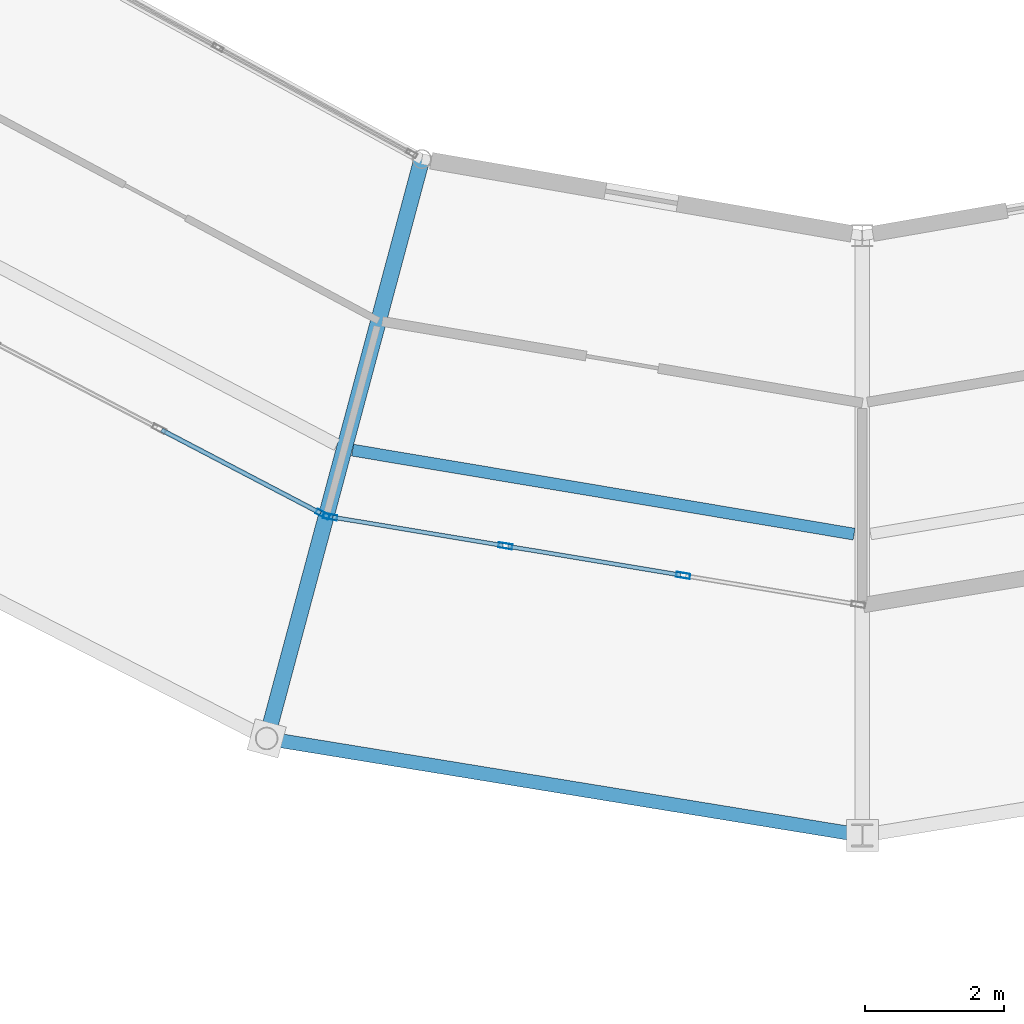
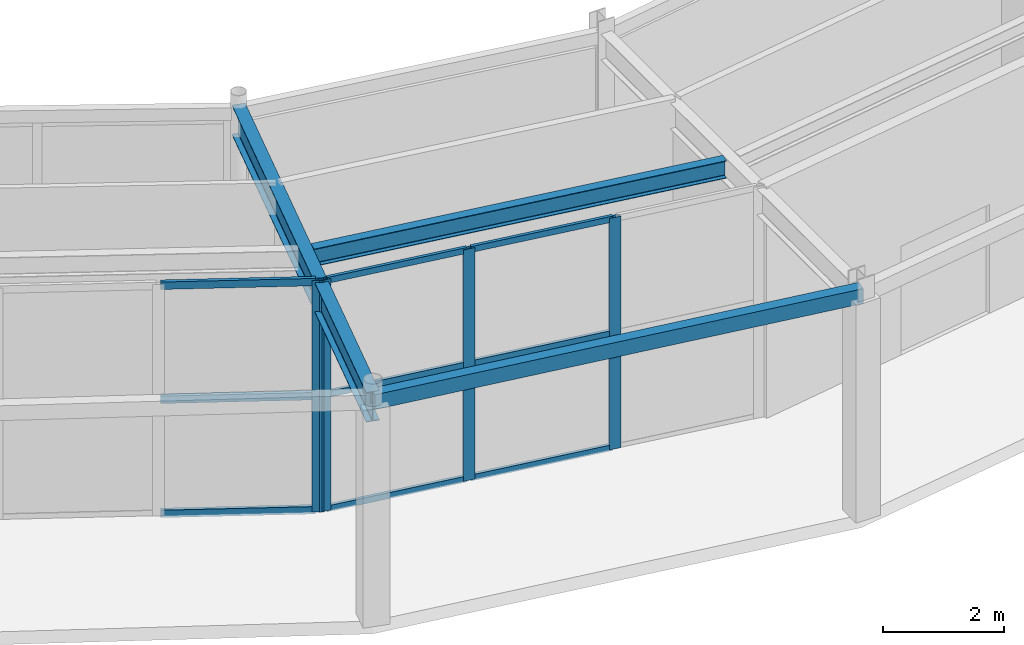
# One storey, part 25 of 144: 13 members, 3 beams, 2 elements without a shape of their own.
"""IFC4 building model written with IfcOpenShell, lengths in metres."""

from ifc_helpers import new_model, si_unit, direction, frame, origin, origin_2d, place, context, subcontext, project, spatial, hollow_rectangle, i_section, extrude, material, material_profile, profile_set, type_object, element, aggregate, save


model = new_model("IFC4")

# Units and contexts
model_context = context("Model", 3, precision=1e-05, world=origin(), true_north=direction((0.0, 1.0)))
body_context = subcontext(model_context, "Body", "Model", "MODEL_VIEW")
ifc_project = project(units=[si_unit("LENGTHUNIT", "METRE"), si_unit("AREAUNIT", "SQUARE_METRE"), si_unit("VOLUMEUNIT", "CUBIC_METRE"), si_unit("PLANEANGLEUNIT", "RADIAN"), si_unit("MASSUNIT", "GRAM", prefix="KILO")], contexts=[model_context])

# Site, building, storey
site_placement = place(None, origin())
site = spatial("IfcSite", under=ifc_project, at=site_placement, CompositionType="ELEMENT")
building_placement = place(site_placement, origin())
building = spatial("IfcBuilding", under=site, at=building_placement, Name="Karori Crest Natural Sciences Institute", CompositionType="ELEMENT")
storey_placement = place(building_placement, origin())
storey = spatial("IfcBuildingStorey", under=building, at=storey_placement, Name="L00", CompositionType="ELEMENT", Elevation=0.0)

# Beams
ifc_material_1 = material(Name="Hollow structural steel AS/NZS 1163 Grade C350", Category="steel")
ifc_material_profile_1 = material_profile(ifc_material_1, hollow_rectangle(XDim=0.199951171875, YDim=0.300048828125, WallThickness=0.010009765625, at=origin_2d()), Name="RHS300x200x10")
ifc_profile_set_1 = profile_set([ifc_material_profile_1], Name="Hollow structural steel AS/NZS 1163 Grade C350")
beam_type_1 = type_object("IfcBeamType", Name="BT-15", PredefinedType="SPANDREL", material=ifc_profile_set_1)
beam_1_placement = place(storey_placement, frame((57.85888671875, 10.490234375, 4.489990234375), z_axis=(0.987012055933, -0.160646199591, 0.0), x_axis=(0.160646199591, 0.987012055933, 0.0)))
element("IfcBeam", 1, at=beam_1_placement, inside=storey, type_object=beam_type_1, Name="Beam B-0154", PredefinedType="SPANDREL", context=body_context, shape_type="SweptSolid", body=[
    extrude(hollow_rectangle(XDim=0.199951171875, YDim=0.300048828125, WallThickness=0.010009765625, at=origin_2d()), origin(), (0.0, 0.0, 1.0), 8.6533203125),
])
ifc_material_2 = material(Name="Structural steel AS/NZS 3679.1 Grade 350", Category="steel")
ifc_material_profile_2 = material_profile(ifc_material_2, i_section(OverallWidth=0.22802734375, OverallDepth=0.60205078125, WebThickness=0.010498046875, FlangeThickness=0.014892578125, FilletRadius=0.013916015625, at=origin_2d()), Name="610UB101")
ifc_profile_set_2 = profile_set([ifc_material_profile_2], Name="Structural steel AS/NZS 3679.1 Grade 350")
beam_type_2 = type_object("IfcBeamType", Name="BT-27", PredefinedType="BEAM", material=ifc_profile_set_2)
beam_2_placement = place(storey_placement, frame((60.084716796875, 18.797119140625, 4.339111328125), z_axis=(-0.258819806009, -0.965925622404, 0.0), x_axis=(0.965925622404, -0.258819806009, 0.0)))
element("IfcBeam", 2, at=beam_2_placement, inside=storey, type_object=beam_type_2, Name="Beam B-0156", PredefinedType="BEAM", context=body_context, shape_type="SweptSolid", body=[
    extrude(i_section(OverallWidth=0.22802734375, OverallDepth=0.60205078125, WebThickness=0.010498046875, FlangeThickness=0.014892578125, FilletRadius=0.013916015625, at=origin_2d()), origin(), (0.0, 0.0, 1.0), 8.599853515625),
])
ifc_material_profile_3 = material_profile(ifc_material_2, i_section(OverallWidth=0.1708984375, OverallDepth=0.35595703125, WebThickness=0.00732421875, FlangeThickness=0.011474609375, FilletRadius=0.010986328125, at=origin_2d()), Name="360UB50.7")
ifc_profile_set_3 = profile_set([ifc_material_profile_3], Name="Structural steel AS/NZS 3679.1 Grade 350")
beam_type_3 = type_object("IfcBeamType", Name="BT-30", PredefinedType="BEAM", material=ifc_profile_set_3)
beam_3_placement = place(storey_placement, frame((59.09033203125, 14.623779296875, 4.4619140625), z_axis=(0.986275115433, -0.165110256126, 0.0), x_axis=(0.165110256126, 0.986275115433, 0.0)))
element("IfcBeam", 3, at=beam_3_placement, inside=storey, type_object=beam_type_3, Name="Beam B-0157", PredefinedType="BEAM", context=body_context, shape_type="SweptSolid", body=[
    extrude(i_section(OverallWidth=0.1708984375, OverallDepth=0.35595703125, WebThickness=0.00732421875, FlangeThickness=0.011474609375, FilletRadius=0.010986328125, at=origin_2d()), origin(), (0.0, 0.0, 1.0), 7.291259765625),
])

# Curtain wall, member
ifc_material_3 = material(Name="Anodised architectural aluminium 6063-T6", Category="aluminium")
curtain_wall_type_1 = type_object("IfcCurtainWallType", Name="CWT-07", PredefinedType="NOTDEFINED", material=ifc_material_3)
curtain_wall_1_placement = place(storey_placement, origin())
curtain_wall_1 = element("IfcCurtainWall", 4, at=curtain_wall_1_placement, inside=storey, type_object=curtain_wall_type_1, Name="Curtain wall CW-0021", PredefinedType="NOTDEFINED")
ifc_material_profile_4 = material_profile(ifc_material_3, hollow_rectangle(XDim=0.074951171875, YDim=0.199951171875, WallThickness=0.0048828125, at=origin_2d()), Name="CWM200x75x5")
ifc_profile_set_4 = profile_set([ifc_material_profile_4], Name="Anodised architectural aluminium 6063-T6")
member_type_1 = type_object("IfcMemberType", Name="CWM-02", PredefinedType="MULLION", material=ifc_profile_set_4)
member_1_placement = place(storey_placement, frame((58.662109375, 13.70458984375, 0.0), z_axis=(0.0, 0.0, 1.0), x_axis=(-0.46342574094, -0.88613575858, 0.0)))
member_1 = element("IfcMember", 5, at=member_1_placement, type_object=member_type_1, Name="CW-0021 mullion 1", PredefinedType="MULLION", context=body_context, shape_type="SweptSolid", body=[
    extrude(hollow_rectangle(XDim=0.074951171875, YDim=0.199951171875, WallThickness=0.0048828125, at=origin_2d()), origin(), (0.0, 0.0, 1.0), 4.679931640625),
])

# Curtain wall, members
curtain_wall_type_2 = type_object("IfcCurtainWallType", Name="CWT-08", PredefinedType="NOTDEFINED", material=ifc_material_3)
curtain_wall_2_placement = place(storey_placement, origin())
curtain_wall_2 = element("IfcCurtainWall", 6, at=curtain_wall_2_placement, inside=storey, type_object=curtain_wall_type_2, Name="Curtain wall CW-0023", PredefinedType="NOTDEFINED")
member_2_placement = place(storey_placement, frame((63.8310546875, 12.8271484375, 0.0), z_axis=(0.0, 0.0, 1.0), x_axis=(-0.1639743451, -0.986464603597, 0.0)))
member_2 = element("IfcMember", 7, at=member_2_placement, type_object=member_type_1, Name="CW-0023 mullion 2", PredefinedType="MULLION", context=body_context, shape_type="SweptSolid", body=[
    extrude(hollow_rectangle(XDim=0.074951171875, YDim=0.199951171875, WallThickness=0.0048828125, at=origin_2d()), origin(), (0.0, 0.0, 1.0), 4.679931640625),
])
member_3_placement = place(storey_placement, frame((61.281982421875, 13.250732421875, 0.0), z_axis=(0.0, 0.0, 1.0), x_axis=(-0.1639743451, -0.986464603597, 0.0)))
member_3 = element("IfcMember", 8, at=member_3_placement, type_object=member_type_1, Name="CW-0023 mullion 3", PredefinedType="MULLION", context=body_context, shape_type="SweptSolid", body=[
    extrude(hollow_rectangle(XDim=0.074951171875, YDim=0.199951171875, WallThickness=0.0048828125, at=origin_2d()), origin(), (0.0, 0.0, 1.0), 4.679931640625),
])
member_4_placement = place(storey_placement, frame((58.769775390625, 13.66845703125, 0.0), z_axis=(0.0, 0.0, 1.0), x_axis=(-0.1639743451, -0.986464603597, 0.0)))
member_4 = element("IfcMember", 9, at=member_4_placement, type_object=member_type_1, Name="CW-0023 mullion 4", PredefinedType="MULLION", context=body_context, shape_type="SweptSolid", body=[
    extrude(hollow_rectangle(XDim=0.074951171875, YDim=0.199951171875, WallThickness=0.0048828125, at=origin_2d()), origin(), (0.0, 0.0, 1.0), 4.679931640625),
])
ifc_material_profile_5 = material_profile(ifc_material_3, hollow_rectangle(XDim=0.06005859375, YDim=0.1201171875, WallThickness=0.00390625, at=origin_2d()), Name="CWT120x60x4")
ifc_profile_set_5 = profile_set([ifc_material_profile_5], Name="Anodised architectural aluminium 6063-T6")
member_type_2 = type_object("IfcMemberType", Name="CWT-TR1", PredefinedType="USERDEFINED", material=ifc_profile_set_5)
member_5_placement = place(storey_placement, frame((63.794189453125, 12.833251953125, 0.030029296875), z_axis=(-0.986470075653, 0.163941421982, 0.0), x_axis=(-0.163941421982, -0.986470075653, 0.0)))
member_5 = element("IfcMember", 10, at=member_5_placement, type_object=member_type_2, Name="CW-0023 transom 2.1", ObjectType="TRANSOM", PredefinedType="USERDEFINED", context=body_context, shape_type="SweptSolid", body=[
    extrude(hollow_rectangle(XDim=0.06005859375, YDim=0.1201171875, WallThickness=0.00390625, at=origin_2d()), origin(), (0.0, 0.0, 1.0), 2.50927734375),
])
member_6_placement = place(storey_placement, frame((63.794189453125, 12.833251953125, 2.340087890625), z_axis=(-0.986470075653, 0.163941421982, 0.0), x_axis=(-0.163941421982, -0.986470075653, 0.0)))
member_6 = element("IfcMember", 11, at=member_6_placement, type_object=member_type_2, Name="CW-0023 transom 2.2", ObjectType="TRANSOM", PredefinedType="USERDEFINED", context=body_context, shape_type="SweptSolid", body=[
    extrude(hollow_rectangle(XDim=0.06005859375, YDim=0.1201171875, WallThickness=0.00390625, at=origin_2d()), origin(), (0.0, 0.0, 1.0), 2.50927734375),
])
member_7_placement = place(storey_placement, frame((63.794189453125, 12.833251953125, 4.64990234375), z_axis=(-0.986470075653, 0.163941421982, 0.0), x_axis=(-0.163941421982, -0.986470075653, 0.0)))
member_7 = element("IfcMember", 12, at=member_7_placement, type_object=member_type_2, Name="CW-0023 transom 2.3", ObjectType="TRANSOM", PredefinedType="USERDEFINED", context=body_context, shape_type="SweptSolid", body=[
    extrude(hollow_rectangle(XDim=0.06005859375, YDim=0.1201171875, WallThickness=0.00390625, at=origin_2d()), origin(), (0.0, 0.0, 1.0), 2.50927734375),
])
member_8_placement = place(storey_placement, frame((61.244873046875, 13.2568359375, 0.030029296875), z_axis=(-0.986463252123, 0.163982475318, 0.0), x_axis=(-0.163982475318, -0.986463252123, 0.0)))
member_8 = element("IfcMember", 13, at=member_8_placement, type_object=member_type_2, Name="CW-0023 transom 3.1", ObjectType="TRANSOM", PredefinedType="USERDEFINED", context=body_context, shape_type="SweptSolid", body=[
    extrude(hollow_rectangle(XDim=0.06005859375, YDim=0.1201171875, WallThickness=0.00390625, at=origin_2d()), origin(), (0.0, 0.0, 1.0), 2.471435546875),
])
member_9_placement = place(storey_placement, frame((61.244873046875, 13.2568359375, 2.340087890625), z_axis=(-0.986463252123, 0.163982475318, 0.0), x_axis=(-0.163982475318, -0.986463252123, 0.0)))
member_9 = element("IfcMember", 14, at=member_9_placement, type_object=member_type_2, Name="CW-0023 transom 3.2", ObjectType="TRANSOM", PredefinedType="USERDEFINED", context=body_context, shape_type="SweptSolid", body=[
    extrude(hollow_rectangle(XDim=0.06005859375, YDim=0.1201171875, WallThickness=0.00390625, at=origin_2d()), origin(), (0.0, 0.0, 1.0), 2.471435546875),
])
member_10_placement = place(storey_placement, frame((61.244873046875, 13.2568359375, 4.64990234375), z_axis=(-0.986463252123, 0.163982475318, 0.0), x_axis=(-0.163982475318, -0.986463252123, 0.0)))
member_10 = element("IfcMember", 15, at=member_10_placement, type_object=member_type_2, Name="CW-0023 transom 3.3", ObjectType="TRANSOM", PredefinedType="USERDEFINED", context=body_context, shape_type="SweptSolid", body=[
    extrude(hollow_rectangle(XDim=0.06005859375, YDim=0.1201171875, WallThickness=0.00390625, at=origin_2d()), origin(), (0.0, 0.0, 1.0), 2.471435546875),
])
aggregate(curtain_wall_2, [member_2, member_3, member_4, member_5, member_6, member_7, member_8, member_9, member_10])

# Member
ifc_material_profile_6 = material_profile(ifc_material_3, hollow_rectangle(XDim=0.06494140625, YDim=0.14990234375, WallThickness=0.00390625, at=origin_2d()), Name="CWT150x65x4")
ifc_profile_set_6 = profile_set([ifc_material_profile_6], Name="Anodised architectural aluminium 6063-T6")
member_type_3 = type_object("IfcMemberType", Name="CWT-TR2", PredefinedType="USERDEFINED", material=ifc_profile_set_6)
member_11_placement = place(storey_placement, frame((58.62890625, 13.721923828125, 0.032470703125), z_axis=(-0.886123434904, 0.463449304794, 0.0), x_axis=(-0.463449304794, -0.886123434904, 0.0)))
member_11 = element("IfcMember", 16, at=member_11_placement, type_object=member_type_3, Name="CW-0021 transom 1.1", ObjectType="TRANSOM", PredefinedType="USERDEFINED", context=body_context, shape_type="SweptSolid", body=[
    extrude(hollow_rectangle(XDim=0.06494140625, YDim=0.14990234375, WallThickness=0.00390625, at=origin_2d()), origin(), (0.0, 0.0, 1.0), 2.568603515625),
])

member_12_placement = place(storey_placement, frame((58.62890625, 13.721923828125, 2.340087890625), z_axis=(-0.886123434904, 0.463449304794, 0.0), x_axis=(-0.463449304794, -0.886123434904, 0.0)))
member_12 = element("IfcMember", 17, at=member_12_placement, type_object=member_type_3, Name="CW-0021 transom 1.2", ObjectType="TRANSOM", PredefinedType="USERDEFINED", context=body_context, shape_type="SweptSolid", body=[
    extrude(hollow_rectangle(XDim=0.06494140625, YDim=0.14990234375, WallThickness=0.00390625, at=origin_2d()), origin(), (0.0, 0.0, 1.0), 2.568603515625),
])

member_13_placement = place(storey_placement, frame((58.62890625, 13.721923828125, 4.6474609375), z_axis=(-0.886123434904, 0.463449304794, 0.0), x_axis=(-0.463449304794, -0.886123434904, 0.0)))
member_13 = element("IfcMember", 18, at=member_13_placement, type_object=member_type_3, Name="CW-0021 transom 1.3", ObjectType="TRANSOM", PredefinedType="USERDEFINED", context=body_context, shape_type="SweptSolid", body=[
    extrude(hollow_rectangle(XDim=0.06494140625, YDim=0.14990234375, WallThickness=0.00390625, at=origin_2d()), origin(), (0.0, 0.0, 1.0), 2.568603515625),
])

aggregate(curtain_wall_1, [member_1, member_11, member_12, member_13])

save(model, "model.ifc")
